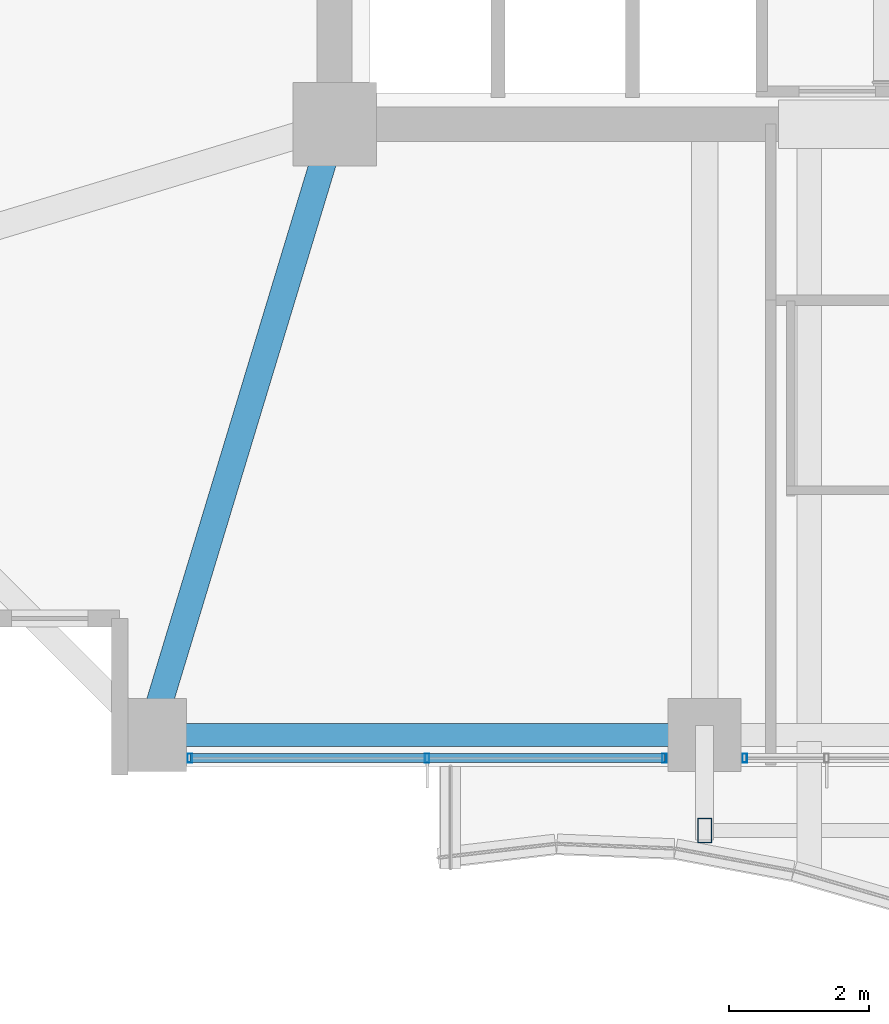
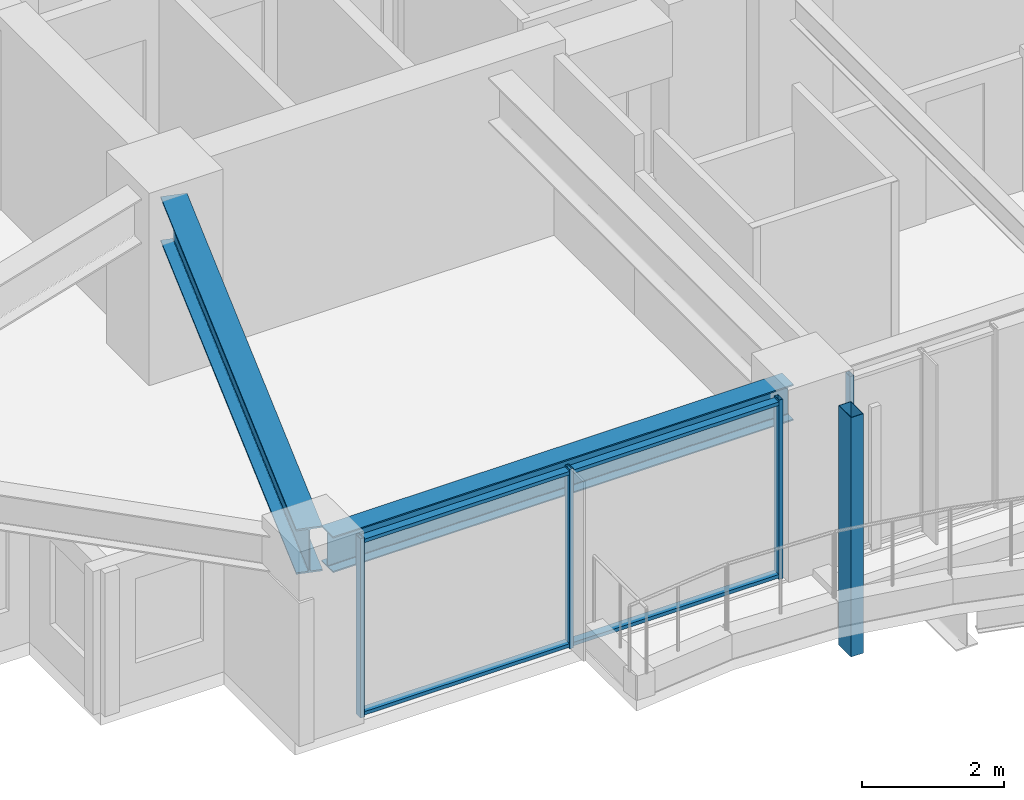
# One storey, part 2 of 34: 7 members, 2 beams, 2 elements without a shape of their own.
"""IFC4 building model written with IfcOpenShell, lengths in metres."""

from ifc_helpers import new_model, si_unit, direction, frame, origin, origin_2d, place, context, subcontext, project, spatial, hollow_rectangle, i_section, extrude, material, material_profile, profile_set, type_object, element, aggregate, save


model = new_model("IFC4")

# Units and contexts
model_context = context("Model", 3, precision=1e-05, world=origin(), true_north=direction((0.0, 1.0)))
body_context = subcontext(model_context, "Body", "Model", "MODEL_VIEW")
ifc_project = project(units=[si_unit("LENGTHUNIT", "METRE"), si_unit("AREAUNIT", "SQUARE_METRE"), si_unit("VOLUMEUNIT", "CUBIC_METRE"), si_unit("PLANEANGLEUNIT", "RADIAN"), si_unit("MASSUNIT", "GRAM", prefix="KILO")], contexts=[model_context])

# Site, building, storey
site_placement = place(None, origin())
site = spatial("IfcSite", under=ifc_project, at=site_placement, CompositionType="ELEMENT")
building_placement = place(site_placement, origin())
building = spatial("IfcBuilding", under=site, at=building_placement, Name="Kolvaren Belvedere", CompositionType="ELEMENT")
storey_placement = place(building_placement, frame((0.0, 0.0, 111.800048828125)))
storey = spatial("IfcBuildingStorey", under=building, at=storey_placement, Name="L32", CompositionType="ELEMENT", Elevation=111.800048828125)

# Beams
ifc_material_1 = material(Name="Structural steel ASTM A992 Grade 50", Category="steel")
ifc_material_profile_1 = material_profile(ifc_material_1, i_section(OverallWidth=0.381103515625, OverallDepth=0.77294921875, WebThickness=0.0166015625, FlangeThickness=0.027099609375, FilletRadius=0.02392578125, at=origin_2d()), Name="W30X173")
ifc_profile_set_1 = profile_set([ifc_material_profile_1], Name="Structural steel ASTM A992 Grade 50")
beam_type_1 = type_object("IfcBeamType", Name="BM-GIRD-W30X173", PredefinedType="BEAM", material=ifc_profile_set_1)
beam_1_placement = place(storey_placement, frame((-10.059326171875, -10.426513671875, 2.693359375), z_axis=(-0.289858652454, -0.957069465398, 0.0), x_axis=(0.957069465398, -0.289858652454, 0.0)))
element("IfcBeam", 1, at=beam_1_placement, inside=storey, type_object=beam_type_1, Name="L32 Corner Core-to-Perimeter Girder CC1-S1", PredefinedType="BEAM", context=body_context, shape_type="SweptSolid", body=[
    extrude(i_section(OverallWidth=0.381103515625, OverallDepth=0.77294921875, WebThickness=0.0166015625, FlangeThickness=0.027099609375, FilletRadius=0.02392578125, at=origin_2d()), origin(), (0.0, 0.0, 1.0), 8.38232421875),
])
ifc_material_2 = material(Name="Structural steel ASTM A992 Grade 50", Category="steel")
ifc_material_profile_2 = material_profile(ifc_material_2, i_section(OverallWidth=0.324951171875, OverallDepth=0.615966796875, WebThickness=0.013916015625, FlangeThickness=0.021484375, FilletRadius=0.02001953125, at=origin_2d()), Name="W24X117")
ifc_profile_set_2 = profile_set([ifc_material_profile_2], Name="Structural steel ASTM A992 Grade 50")
beam_type_2 = type_object("IfcBeamType", Name="BM-SPAN-W24X117", PredefinedType="SPANDREL", material=ifc_profile_set_2)
beam_2_placement = place(storey_placement, frame((-12.313720703125, -18.64990234375, 2.77197265625), z_axis=(1.0, 0.0, 0.0), x_axis=(0.0, 1.0, 0.0)))
element("IfcBeam", 2, at=beam_2_placement, inside=storey, type_object=beam_type_2, Name="L32 Perimeter Spandrel S1-S2", PredefinedType="SPANDREL", context=body_context, shape_type="SweptSolid", body=[
    extrude(i_section(OverallWidth=0.324951171875, OverallDepth=0.615966796875, WebThickness=0.013916015625, FlangeThickness=0.021484375, FilletRadius=0.02001953125, at=origin_2d()), origin(), (0.0, 0.0, 1.0), 7.4775390625),
])

# Curtain wall, member
ifc_material_3 = material(Name="Anodised pale-metal aluminium AA 6063-T6", Category="aluminium")
curtain_wall_type = type_object("IfcCurtainWallType", Name="CW-Z3-WAIST", PredefinedType="NOTDEFINED", material=ifc_material_3)
curtain_wall_1_placement = place(storey_placement, origin())
curtain_wall_1 = element("IfcCurtainWall", 3, at=curtain_wall_1_placement, inside=storey, type_object=curtain_wall_type, Name="L32 Unitised Curtain Wall FCW-L32-S2-B1", PredefinedType="NOTDEFINED")
ifc_material_4 = material(Name="Anodised pale-metal aluminium AA 6063-T6", Category="aluminium")
ifc_material_profile_3 = material_profile(ifc_material_4, hollow_rectangle(XDim=0.06494140625, YDim=0.1298828125, WallThickness=0.00390625, at=origin_2d()), Name="ALU-MUL-130X65")
ifc_profile_set_3 = profile_set([ifc_material_profile_3], Name="Anodised pale-metal aluminium AA 6063-T6")
member_type_1 = type_object("IfcMemberType", Name="CW-MUL-130", PredefinedType="MULLION", material=ifc_profile_set_3)
member_1_placement = place(storey_placement, frame((-4.0224609375, -18.97998046875, 0.0), z_axis=(0.0, 0.0, 1.0), x_axis=(1.0, 0.0, 0.0)))
member_1 = element("IfcMember", 4, at=member_1_placement, type_object=member_type_1, Name="FCW-L32-S2-B1 Unitised Mullion 3", PredefinedType="MULLION", context=body_context, shape_type="SweptSolid", body=[
    extrude(hollow_rectangle(XDim=0.06494140625, YDim=0.1298828125, WallThickness=0.00390625, at=origin_2d()), origin(), (0.0, 0.0, 1.0), 3.079833984375),
])
aggregate(curtain_wall_1, [member_1])

# Curtain wall, members
curtain_wall_2_placement = place(storey_placement, origin())
curtain_wall_2 = element("IfcCurtainWall", 5, at=curtain_wall_2_placement, inside=storey, type_object=curtain_wall_type, Name="L32 Unitised Curtain Wall FCW-L32-S2-B2", PredefinedType="NOTDEFINED")
member_2_placement = place(storey_placement, frame((-5.177490234375, -18.97998046875, 0.0), z_axis=(0.0, 0.0, 1.0), x_axis=(1.0, 0.0, 0.0)))
member_2 = element("IfcMember", 6, at=member_2_placement, type_object=member_type_1, Name="FCW-L32-S2-B2 Unitised Mullion 1", PredefinedType="MULLION", context=body_context, shape_type="SweptSolid", body=[
    extrude(hollow_rectangle(XDim=0.06494140625, YDim=0.1298828125, WallThickness=0.00390625, at=origin_2d()), origin(), (0.0, 0.0, 1.0), 3.079833984375),
])
member_3_placement = place(storey_placement, frame((-8.574951171875, -18.97998046875, 0.0), z_axis=(0.0, 0.0, 1.0), x_axis=(1.0, 0.0, 0.0)))
member_3 = element("IfcMember", 7, at=member_3_placement, type_object=member_type_1, Name="FCW-L32-S2-B2 Unitised Mullion 2", PredefinedType="MULLION", context=body_context, shape_type="SweptSolid", body=[
    extrude(hollow_rectangle(XDim=0.06494140625, YDim=0.1298828125, WallThickness=0.00390625, at=origin_2d()), origin(), (0.0, 0.0, 1.0), 3.079833984375),
])
member_4_placement = place(storey_placement, frame((-11.972412109375, -18.97998046875, 0.0), z_axis=(0.0, 0.0, 1.0), x_axis=(1.0, 0.0, 0.0)))
member_4 = element("IfcMember", 8, at=member_4_placement, type_object=member_type_1, Name="FCW-L32-S2-B2 Unitised Mullion 3", PredefinedType="MULLION", context=body_context, shape_type="SweptSolid", body=[
    extrude(hollow_rectangle(XDim=0.06494140625, YDim=0.1298828125, WallThickness=0.00390625, at=origin_2d()), origin(), (0.0, 0.0, 1.0), 3.079833984375),
])
ifc_material_5 = material(Name="Anodised pale-metal aluminium AA 6063-T6", Category="aluminium")
ifc_material_profile_4 = material_profile(ifc_material_5, hollow_rectangle(XDim=0.06005859375, YDim=0.1298828125, WallThickness=0.00390625, at=origin_2d()), Name="ALU-TRN-130X60")
ifc_profile_set_4 = profile_set([ifc_material_profile_4], Name="Anodised pale-metal aluminium AA 6063-T6")
member_type_2 = type_object("IfcMemberType", Name="CW-TRN-130", PredefinedType="USERDEFINED", material=ifc_profile_set_4)
member_5_placement = place(storey_placement, frame((-5.177490234375, -18.97998046875, 0.06005859375), z_axis=(-1.0, 0.0, 0.0), x_axis=(0.0, 0.0, 1.0)))
member_5 = element("IfcMember", 9, at=member_5_placement, type_object=member_type_2, Name="FCW-L32-S2-B2 Sill Transom", ObjectType="TRANSOM", PredefinedType="USERDEFINED", context=body_context, shape_type="SweptSolid", body=[
    extrude(hollow_rectangle(XDim=0.06005859375, YDim=0.1298828125, WallThickness=0.00390625, at=origin_2d()), origin(), (0.0, 0.0, 1.0), 6.794921875),
])
member_6_placement = place(storey_placement, frame((-5.177490234375, -18.97998046875, 3.02001953125), z_axis=(-1.0, 0.0, 0.0), x_axis=(0.0, 0.0, 1.0)))
member_6 = element("IfcMember", 10, at=member_6_placement, type_object=member_type_2, Name="FCW-L32-S2-B2 Head Transom", ObjectType="TRANSOM", PredefinedType="USERDEFINED", context=body_context, shape_type="SweptSolid", body=[
    extrude(hollow_rectangle(XDim=0.06005859375, YDim=0.1298828125, WallThickness=0.00390625, at=origin_2d()), origin(), (0.0, 0.0, 1.0), 6.794921875),
])
aggregate(curtain_wall_2, [member_2, member_3, member_4, member_5, member_6])

# Member
ifc_material_6 = material(Name="Anodised pale-metal aluminium AA 6063-T6", Category="aluminium")
ifc_material_profile_5 = material_profile(ifc_material_6, hollow_rectangle(XDim=0.199951171875, YDim=0.35009765625, WallThickness=0.007568359375, at=origin_2d()), Name="ALU-PF-350X200")
ifc_profile_set_5 = profile_set([ifc_material_profile_5], Name="Anodised pale-metal aluminium AA 6063-T6")
member_type_3 = type_object("IfcMemberType", Name="PF-FRAME-350", PredefinedType="USERDEFINED", material=ifc_profile_set_5)
member_7_placement = place(storey_placement, frame((-4.60009765625, -20.02001953125, -0.81005859375), z_axis=(0.0, 0.0, 1.0), x_axis=(1.0, 0.0, 0.0)))
element("IfcMember", 11, at=member_7_placement, inside=storey, type_object=member_type_3, Name="L32 Outboard Picture-Frame Vertical S2", ObjectType="PICTURE FRAME FIN", PredefinedType="USERDEFINED", context=body_context, shape_type="SweptSolid", body=[
    extrude(hollow_rectangle(XDim=0.199951171875, YDim=0.35009765625, WallThickness=0.007568359375, at=origin_2d()), origin(), (0.0, 0.0, 1.0), 4.110107421875),
])

save(model, "model.ifc")
